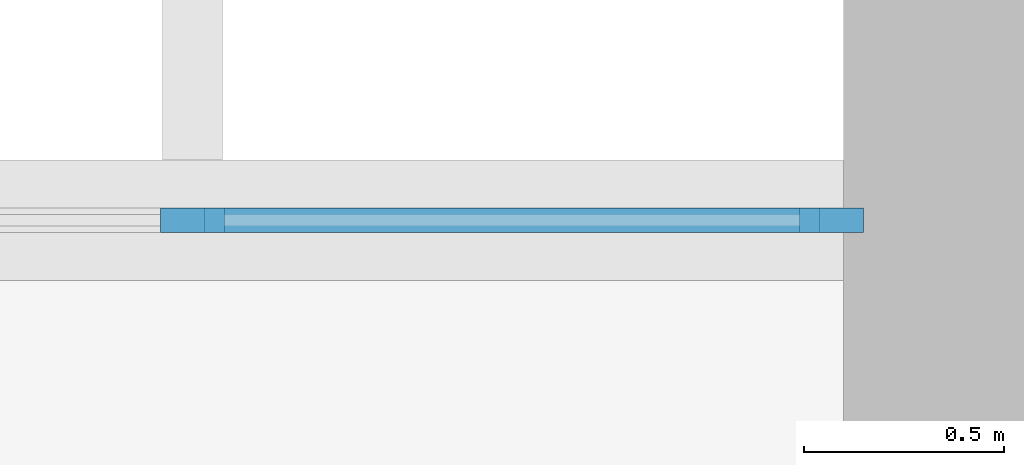
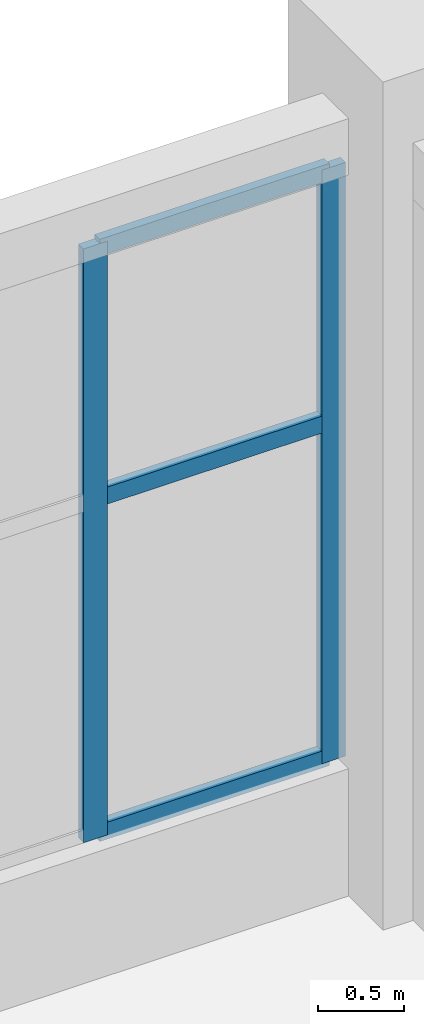
# One storey, part 18 of 44: 5 members, 1 element without a shape of its own.
"""IFC4 building model written with IfcOpenShell, lengths in metres."""

from ifc_helpers import new_model, si_unit, direction, frame, origin, origin_2d, place, context, subcontext, project, spatial, rectangle, extrude, material, layer, layer_set, material_profile, profile_set, type_object, element, aggregate, save


model = new_model("IFC4")

# Units and contexts
model_context = context("Model", 3, precision=1e-05, world=origin(), true_north=direction((0.0, 1.0)))
body_context = subcontext(model_context, "Body", "Model", "MODEL_VIEW")
ifc_project = project(units=[si_unit("LENGTHUNIT", "METRE"), si_unit("AREAUNIT", "SQUARE_METRE"), si_unit("VOLUMEUNIT", "CUBIC_METRE"), si_unit("PLANEANGLEUNIT", "RADIAN"), si_unit("MASSUNIT", "GRAM", prefix="KILO")], contexts=[model_context])

# Site, building, storey
site_placement = place(None, origin())
site = spatial("IfcSite", under=ifc_project, at=site_placement, CompositionType="ELEMENT")
building_placement = place(site_placement, origin())
building = spatial("IfcBuilding", under=site, at=building_placement, Name="Vermilion Court Aquatics Centre", CompositionType="ELEMENT")
storey_placement = place(building_placement, frame((0.0, 0.0, 6.0)))
storey = spatial("IfcBuildingStorey", under=building, at=storey_placement, Name="L01", CompositionType="ELEMENT", Elevation=6.0)

# Curtain wall, members
ifc_material_1 = material(Name="Aluminium 6063-T5", Category="aluminium")
ifc_layer = layer(ifc_material_1, 0.14990234375)
ifc_layer_set = layer_set([ifc_layer], Name="Podium curtain wall bay, 1800 module")
curtain_wall_type = type_object("IfcCurtainWallType", Name="Podium curtain wall bay, 1800 module", PredefinedType="NOTDEFINED", material=ifc_layer_set)
curtain_wall_placement = place(storey_placement, origin())
curtain_wall = element("IfcCurtainWall", 1, at=curtain_wall_placement, inside=storey, type_object=curtain_wall_type, Name="Curtain wall L01", PredefinedType="NOTDEFINED")
ifc_material_2 = material(Name="Aluminium 6063-T5", Category="aluminium")
ifc_material_profile_1 = material_profile(ifc_material_2, rectangle(XDim=0.06005859375, YDim=0.159912109375, at=origin_2d()), Name="Mullion 60x160")
ifc_profile_set_1 = profile_set([ifc_material_profile_1], Name="Aluminium 6063-T5")
member_type_1 = type_object("IfcMemberType", Name="Podium curtain wall mullion 60x160", PredefinedType="MULLION", material=ifc_profile_set_1)
member_1_placement = place(storey_placement, frame((192.425048828125, 115.199951171875, 0.89990234375), z_axis=(0.0, 0.0, 1.0), x_axis=(0.0, 1.0, 0.0)))
member_1 = element("IfcMember", 2, at=member_1_placement, type_object=member_type_1, Name="PG2 mullion 4", PredefinedType="MULLION", context=body_context, shape_type="SweptSolid", body=[
    extrude(rectangle(XDim=0.06005859375, YDim=0.159912109375, at=origin_2d()), origin(), (0.0, 0.0, 1.0), 4.2001953125),
])
member_2_placement = place(storey_placement, frame((194.02001953125, 115.199951171875, 0.89990234375), z_axis=(0.0, 0.0, 1.0), x_axis=(0.0, 1.0, 0.0)))
member_2 = element("IfcMember", 3, at=member_2_placement, type_object=member_type_1, Name="PG2 mullion 5", PredefinedType="MULLION", context=body_context, shape_type="SweptSolid", body=[
    extrude(rectangle(XDim=0.06005859375, YDim=0.159912109375, at=origin_2d()), origin(), (0.0, 0.0, 1.0), 4.2001953125),
])
ifc_material_3 = material(Name="Aluminium 6063-T5", Category="aluminium")
ifc_material_profile_2 = material_profile(ifc_material_3, rectangle(XDim=0.06005859375, YDim=0.1201171875, at=origin_2d()), Name="Transom 60x120")
ifc_profile_set_2 = profile_set([ifc_material_profile_2], Name="Aluminium 6063-T5")
member_type_2 = type_object("IfcMemberType", Name="Podium curtain wall transom 60x120", PredefinedType="USERDEFINED", material=ifc_profile_set_2)
member_3_placement = place(storey_placement, frame((192.455078125, 115.199951171875, 0.929931640625), z_axis=(1.0, 0.0, 0.0), x_axis=(0.0, 1.0, 0.0)))
member_3 = element("IfcMember", 4, at=member_3_placement, type_object=member_type_2, Name="PG2 transom 4.1", ObjectType="TRANSOM", PredefinedType="USERDEFINED", context=body_context, shape_type="SweptSolid", body=[
    extrude(rectangle(XDim=0.06005859375, YDim=0.1201171875, at=origin_2d()), origin(), (0.0, 0.0, 1.0), 1.534912109375),
])
member_4_placement = place(storey_placement, frame((192.455078125, 115.199951171875, 3.300048828125), z_axis=(1.0, 0.0, 0.0), x_axis=(0.0, 1.0, 0.0)))
member_4 = element("IfcMember", 5, at=member_4_placement, type_object=member_type_2, Name="PG2 transom 4.2", ObjectType="TRANSOM", PredefinedType="USERDEFINED", context=body_context, shape_type="SweptSolid", body=[
    extrude(rectangle(XDim=0.06005859375, YDim=0.1201171875, at=origin_2d()), origin(), (0.0, 0.0, 1.0), 1.534912109375),
])
member_5_placement = place(storey_placement, frame((192.455078125, 115.199951171875, 5.070068359375), z_axis=(1.0, 0.0, 0.0), x_axis=(0.0, 1.0, 0.0)))
member_5 = element("IfcMember", 6, at=member_5_placement, type_object=member_type_2, Name="PG2 transom 4.3", ObjectType="TRANSOM", PredefinedType="USERDEFINED", context=body_context, shape_type="SweptSolid", body=[
    extrude(rectangle(XDim=0.06005859375, YDim=0.1201171875, at=origin_2d()), origin(), (0.0, 0.0, 1.0), 1.534912109375),
])
aggregate(curtain_wall, [member_1, member_2, member_3, member_4, member_5])

save(model, "model.ifc")
